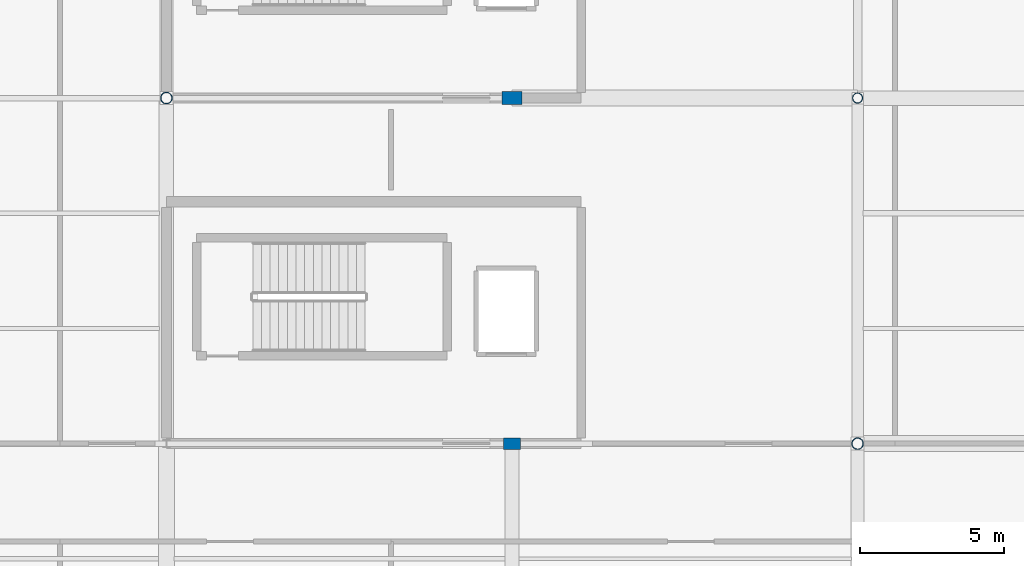
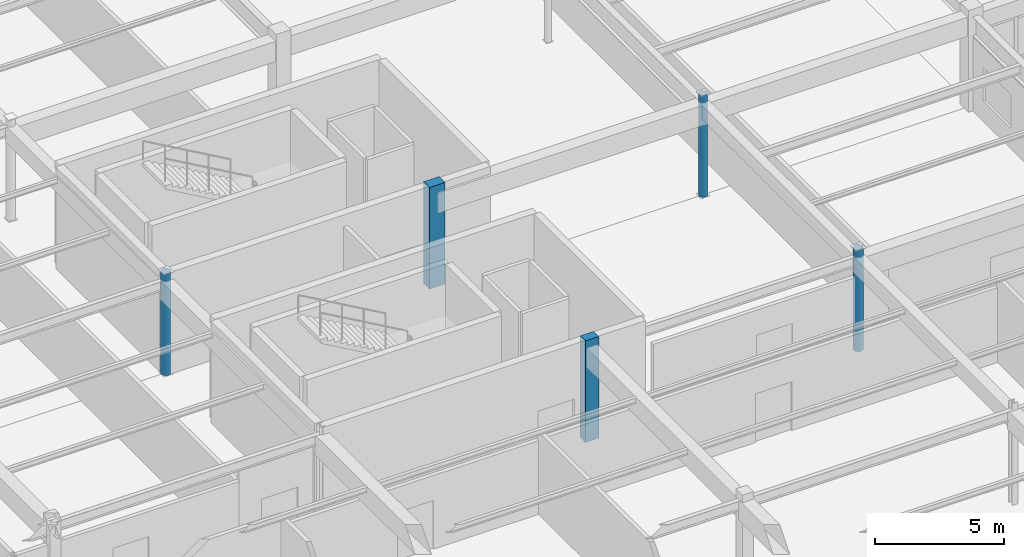
# One storey, part 22 of 199: 5 columns.
"""IFC4 building model written with IfcOpenShell, lengths in metres."""

from ifc_helpers import new_model, si_unit, direction, frame, origin, origin_2d, place, context, subcontext, project, spatial, rectangle, hollow_circle, extrude, material, material_profile, profile_set, type_object, element, save


model = new_model("IFC4")

# Units and contexts
model_context = context("Model", 3, precision=1e-05, world=origin(), true_north=direction((0.0, 1.0)))
body_context = subcontext(model_context, "Body", "Model", "MODEL_VIEW")
ifc_project = project(units=[si_unit("LENGTHUNIT", "METRE"), si_unit("AREAUNIT", "SQUARE_METRE"), si_unit("VOLUMEUNIT", "CUBIC_METRE"), si_unit("PLANEANGLEUNIT", "RADIAN"), si_unit("MASSUNIT", "GRAM", prefix="KILO")], contexts=[model_context])

# Site, building, storey
site_placement = place(None, origin())
site = spatial("IfcSite", under=ifc_project, at=site_placement, CompositionType="ELEMENT")
building_placement = place(site_placement, origin())
building = spatial("IfcBuilding", under=site, at=building_placement, Name="Tarnwether General Hospital", CompositionType="ELEMENT")
storey_placement = place(building_placement, origin())
storey = spatial("IfcBuildingStorey", under=building, at=storey_placement, Name="L00", CompositionType="ELEMENT", Elevation=0.0)

# Columns
ifc_material_1 = material(Name="Steel Grade C350L0 (350 MPa)", Category="steel")
ifc_material_profile_1 = material_profile(ifc_material_1, hollow_circle(Radius=0.203125, WallThickness=0.01611328125, at=origin_2d()), Name="CHS406.4x16.0")
ifc_profile_set_1 = profile_set([ifc_material_profile_1], Name="Steel Grade C350L0 (350 MPa)")
column_type_1 = type_object("IfcColumnType", Name="COL-10", PredefinedType="COLUMN", material=ifc_profile_set_1)
for number, where, z_axis, x_axis, name in (
    (1, (24.0, 81.60009765625, 0.0), (0.0, 0.0, 1.0), (1.0, 0.0, 0.0), "Column COLG-L00-2400_8160"),
    (2, (48.0, 69.60009765625, 0.0), (0.0, 0.0, 1.0), (1.0, 0.0, 0.0), "Column COLG-L00-4800_6960"),
):
    element("IfcColumn", number, at=place(storey_placement, frame(where, z_axis=z_axis, x_axis=x_axis)), inside=storey, type_object=column_type_1, Name=name, PredefinedType="COLUMN", context=body_context, shape_type="SweptSolid", body=[
        extrude(hollow_circle(Radius=0.203125, WallThickness=0.01611328125, at=origin_2d()), origin(), (0.0, 0.0, 1.0), 4.800048828125),
    ])
ifc_material_2 = material(Name="Steel Grade C350L0 (350 MPa)", Category="steel")
ifc_material_profile_2 = material_profile(ifc_material_2, hollow_circle(Radius=0.177734375, WallThickness=0.0126953125, at=origin_2d()), Name="CHS355.6x12.7")
ifc_profile_set_2 = profile_set([ifc_material_profile_2], Name="Steel Grade C350L0 (350 MPa)")
column_type_2 = type_object("IfcColumnType", Name="COL-11", PredefinedType="COLUMN", material=ifc_profile_set_2)
column_1_placement = place(storey_placement, frame((48.0, 81.60009765625, 0.0), z_axis=(0.0, 0.0, 1.0), x_axis=(1.0, 0.0, 0.0)))
element("IfcColumn", 3, at=column_1_placement, inside=storey, type_object=column_type_2, Name="Column COLG-L00-4800_8160", PredefinedType="COLUMN", context=body_context, shape_type="SweptSolid", body=[
    extrude(hollow_circle(Radius=0.177734375, WallThickness=0.0126953125, at=origin_2d()), origin(), (0.0, 0.0, 1.0), 4.800048828125),
])
ifc_material_3 = material(Name="Concrete 50 MPa", Category="concrete")
ifc_material_profile_3 = material_profile(ifc_material_3, rectangle(XDim=0.39990234375, YDim=0.60009765625, at=origin_2d()), Name="RC-PIL-400x600")
ifc_profile_set_3 = profile_set([ifc_material_profile_3], Name="Concrete 50 MPa")
column_type_3 = type_object("IfcColumnType", Name="COL-21", PredefinedType="PILASTER", material=ifc_profile_set_3)
column_2_placement = place(storey_placement, frame((36.0, 69.60009765625, 0.0), z_axis=(0.0, 0.0, 1.0), x_axis=(0.0, 1.0, 0.0)))
element("IfcColumn", 4, at=column_2_placement, inside=storey, type_object=column_type_3, Name="Column COLG-L00-3600_6960", PredefinedType="PILASTER", context=body_context, shape_type="SweptSolid", body=[
    extrude(rectangle(XDim=0.39990234375, YDim=0.60009765625, at=origin_2d()), origin(), (0.0, 0.0, 1.0), 4.800048828125),
])
ifc_material_4 = material(Name="Concrete 50 MPa", Category="concrete")
ifc_material_profile_4 = material_profile(ifc_material_4, rectangle(XDim=0.449951171875, YDim=0.699951171875, at=origin_2d()), Name="RC-PIL-450x700")
ifc_profile_set_4 = profile_set([ifc_material_profile_4], Name="Concrete 50 MPa")
column_type_4 = type_object("IfcColumnType", Name="COL-22", PredefinedType="PILASTER", material=ifc_profile_set_4)
column_3_placement = place(storey_placement, frame((36.0, 81.60009765625, 0.0), z_axis=(0.0, 0.0, 1.0), x_axis=(0.0, 1.0, 0.0)))
element("IfcColumn", 5, at=column_3_placement, inside=storey, type_object=column_type_4, Name="Column COLG-L00-3600_8160", PredefinedType="PILASTER", context=body_context, shape_type="SweptSolid", body=[
    extrude(rectangle(XDim=0.449951171875, YDim=0.699951171875, at=origin_2d()), origin(), (0.0, 0.0, 1.0), 4.800048828125),
])

save(model, "model.ifc")
